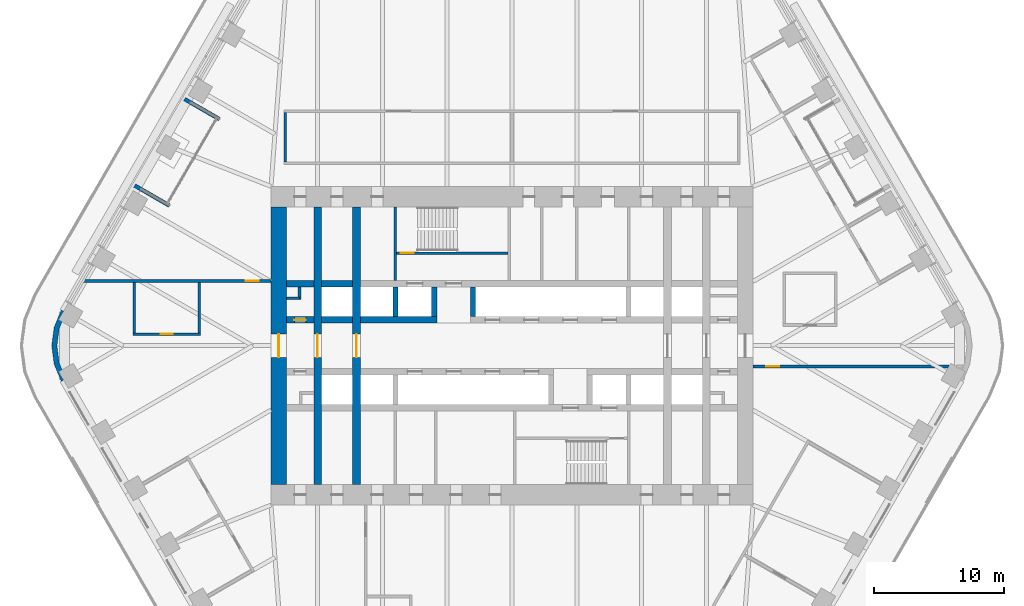
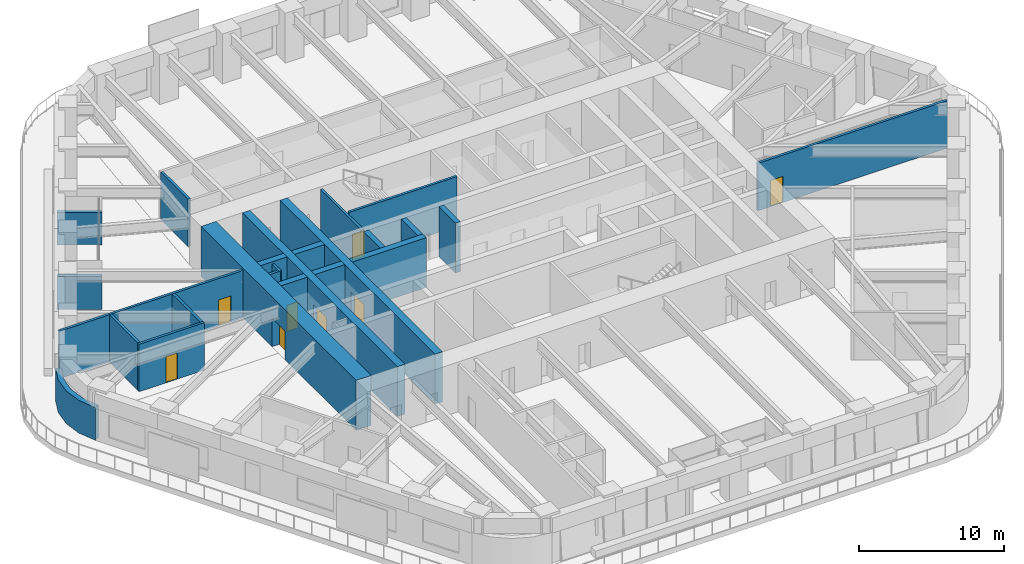
# One storey, part 19 of 24: 24 walls, 8 doors, 8 openings.
"""IFC4 building model written with IfcOpenShell, lengths in metres."""

from ifc_helpers import new_model, si_unit, direction, frame, frame_2d, origin, place, context, subcontext, project, spatial, polyline, rectangle, outline, extrude, material, layer, layer_set, type_object, element, fill, save


model = new_model("IFC4")

# Units and contexts
model_context = context("Model", 3, precision=1e-05, world=origin(), true_north=direction((0.0, 1.0)))
body_context = subcontext(model_context, "Body", "Model", "MODEL_VIEW")
ifc_project = project(units=[si_unit("LENGTHUNIT", "METRE"), si_unit("AREAUNIT", "SQUARE_METRE"), si_unit("VOLUMEUNIT", "CUBIC_METRE"), si_unit("PLANEANGLEUNIT", "RADIAN"), si_unit("MASSUNIT", "GRAM", prefix="KILO")], contexts=[model_context])

# Site, building, storey
site_placement = place(None, origin())
site = spatial("IfcSite", under=ifc_project, at=site_placement, CompositionType="ELEMENT")
building_placement = place(site_placement, origin())
building = spatial("IfcBuilding", under=site, at=building_placement, Name="Tarfa Lantern Tower", CompositionType="ELEMENT")
storey_placement = place(building_placement, frame((0.0, 0.0, 186.699951171875)))
storey = spatial("IfcBuildingStorey", under=building, at=storey_placement, Name="L42", CompositionType="ELEMENT", Elevation=186.699951171875)

# Walls
ifc_material_1 = material(Name="Limestone cladding on blockwork", Category="masonry")
ifc_layer_1 = layer(ifc_material_1, 0.300048828125)
ifc_layer_set_1 = layer_set([ifc_layer_1], Name="EW1 STONE-CLAD WALL 300")
wall_type_1 = type_object("IfcWallType", Name="EW1 STONE-CLAD WALL 300", PredefinedType="SOLIDWALL", material=ifc_layer_set_1)
wall_1_placement = place(storey_placement, frame((-25.266357421875, 19.037353515625, 0.0), z_axis=(0.0, 0.0, 1.0), x_axis=(0.86600983753, -0.500026960575, 0.0)))
element("IfcWall", 1, at=wall_1_placement, inside=storey, type_object=wall_type_1, Name="Loggia return NW 1", PredefinedType="SOLIDWALL", context=body_context, shape_type="SweptSolid", body=[
    extrude(rectangle(XDim=3.099853515625, YDim=0.300048828125, at=frame_2d((1.5498046875, 0.0))), origin(), (0.0, 0.0, 1.0), 2.75),
])
wall_2_placement = place(storey_placement, frame((-29.1201171875, 12.362548828125, 0.0), z_axis=(0.0, 0.0, 1.0), x_axis=(0.86602952684, -0.49999285859, 0.0)))
element("IfcWall", 2, at=wall_2_placement, inside=storey, type_object=wall_type_1, Name="Loggia return NW 2", PredefinedType="SOLIDWALL", context=body_context, shape_type="SweptSolid", body=[
    extrude(rectangle(XDim=3.10009765625, YDim=0.300048828125, at=frame_2d((1.550048828125, 0.0))), origin(), (0.0, 0.0, 1.0), 2.75),
])
ifc_layer_2 = layer(ifc_material_1, 0.39990234375)
ifc_layer_set_2 = layer_set([ifc_layer_2], Name="EW2 CURVED STONE CORNER 400")
wall_type_2 = type_object("IfcWallType", Name="EW2 CURVED STONE CORNER 400", PredefinedType="SOLIDWALL", material=ifc_layer_set_2)
wall_3_placement = place(storey_placement, origin())
element("IfcWall", 3, at=wall_3_placement, inside=storey, type_object=wall_type_2, Name="Stone corner NW-SW", PredefinedType="SOLIDWALL", context=body_context, shape_type="SweptSolid", body=[
    extrude(outline(polyline([(-34.785400390625, 2.75), (-35.334716796875, 1.423583984375), (-35.522216796875, 0.0), (-35.334716796875, -1.423583984375), (-34.785400390625, -2.75), (-34.43896484375, -2.550048828125), (-34.948486328125, -1.320068359375), (-35.122314453125, 0.0), (-34.948486328125, 1.320068359375), (-34.43896484375, 2.550048828125), (-34.785400390625, 2.75)])), origin(), (0.0, 0.0, 1.0), 2.75),
])
ifc_material_2 = material(Name="Concrete blockwork", Category="masonry")
ifc_layer_3 = layer(ifc_material_2, 0.199951171875)
ifc_layer_set_3 = layer_set([ifc_layer_3], Name="IW1 BLOCKWORK PARTITION 200 EI 120")
wall_type_3 = type_object("IfcWallType", Name="IW1 BLOCKWORK PARTITION 200 EI 120", PredefinedType="PARTITIONING", material=ifc_layer_set_3)
wall_4_placement = place(storey_placement, frame((-9.0, 5.050048828125, 0.0), z_axis=(0.0, 0.0, 1.0), x_axis=(0.0, 1.0, 0.0)))
element("IfcWall", 4, at=wall_4_placement, inside=storey, type_object=wall_type_3, Name="Core partition", PredefinedType="PARTITIONING", context=body_context, shape_type="SweptSolid", body=[
    extrude(rectangle(XDim=5.64990234375, YDim=0.199951171875, at=frame_2d((2.824951171875, 0.0))), origin(), (0.0, 0.0, 1.0), 4.0),
])
for number, where, z_axis, x_axis, name in (
    (5, (-17.39990234375, 3.64990234375, 0.0), (0.0, 0.0, 1.0), (1.0, 0.0, 0.0), "Core partition"),
    (6, (-16.39990234375, 3.550048828125, 0.0), (0.0, 0.0, 1.0), (0.0, 1.0, 0.0), "Core partition"),
):
    element("IfcWall", number, at=place(storey_placement, frame(where, z_axis=z_axis, x_axis=x_axis)), inside=storey, type_object=wall_type_3, Name=name, PredefinedType="PARTITIONING", context=body_context, shape_type="SweptSolid", body=[
        extrude(rectangle(XDim=1.0, YDim=0.199951171875, at=frame_2d((0.5, 0.0))), origin(), (0.0, 0.0, 1.0), 4.0),
    ])
ifc_material_3 = material(Name="Gypsum board on steel studs", Category="steel")
ifc_layer_4 = layer(ifc_material_3, 0.2099609375)
ifc_layer_set_4 = layer_set([ifc_layer_4], Name="IW2 ACOUSTIC PARTITION 200")
wall_type_4 = type_object("IfcWallType", Name="IW2 ACOUSTIC PARTITION 200", PredefinedType="PARTITIONING", material=ifc_layer_set_4)
wall_5_placement = place(storey_placement, frame((-17.5, 14.199951171875, 0.0), z_axis=(0.0, 0.0, 1.0), x_axis=(0.0, 1.0, 0.0)))
element("IfcWall", 7, at=wall_5_placement, inside=storey, type_object=wall_type_4, Name="Partition", PredefinedType="PARTITIONING", context=body_context, shape_type="SweptSolid", body=[
    extrude(rectangle(XDim=3.800048828125, YDim=0.199951171875, at=frame_2d((1.89990234375, 0.0))), origin(), (0.0, 0.0, 1.0), 4.0),
])

# Wall, opening, door
wall_6_placement = place(storey_placement, frame((18.60009765625, -1.60009765625, 0.0), z_axis=(0.0, 0.0, 1.0), x_axis=(1.0, 0.0, 0.0)))
wall_6 = element("IfcWall", 8, at=wall_6_placement, inside=storey, type_object=wall_type_4, Name="Partition", PredefinedType="PARTITIONING", context=body_context, shape_type="SweptSolid", body=[
    extrude(rectangle(XDim=15.1171875, YDim=0.199951171875, at=frame_2d((7.55859375, 0.0))), origin(), (0.0, 0.0, 1.0), 4.0),
])
opening_1_placement = place(wall_6_placement, frame((1.01171875, 0.0, 0.0)))
opening_1 = element("IfcOpeningElement", 9, at=opening_1_placement, cuts=wall_6, Name="Opening D47", PredefinedType="OPENING", context=body_context, shape_type="SweptSolid", body=[
    extrude(rectangle(XDim=1.0, YDim=2.199951171875, at=frame_2d((0.5, 1.10009765625))), frame((0.0, 0.10986328125, 0.0), z_axis=(0.0, -1.0, 0.0), x_axis=(1.0, 0.0, 0.0)), (0.0, 0.0, 1.0), 0.219970703125),
])
ifc_material_4 = material(Name="Timber door", Category="wood")
door_type_1 = type_object("IfcDoorType", Name="DR1 ROOM DOOR 1000x2200", OperationType="SINGLE_SWING_LEFT", PredefinedType="DOOR", material=ifc_material_4)
door_1_placement = place(opening_1_placement, frame((1.0, 0.0, 0.0), z_axis=(0.0, 0.0, 1.0), x_axis=(-1.0, 0.0, 0.0)))
door_1 = element("IfcDoor", 10, at=door_1_placement, inside=storey, type_object=door_type_1, Name="Zone door", OperationType="SINGLE_SWING_LEFT", OverallHeight=2.199951171875, OverallWidth=1.0, PredefinedType="DOOR", context=body_context, shape_type="SweptSolid", body=[
    extrude(rectangle(XDim=1.0, YDim=2.199951171875, at=frame_2d((0.5, 1.10009765625))), frame((0.0, 0.02490234375, 0.0), z_axis=(0.0, -1.0, 0.0), x_axis=(1.0, 0.0, 0.0)), (0.0, 0.0, 1.0), 0.050048828125),
])
fill(opening_1, door_1)

wall_7_placement = place(storey_placement, frame((-18.60009765625, 5.0, 0.0), z_axis=(0.0, 0.0, 1.0), x_axis=(-1.0, 0.0, 0.0)))
wall_7 = element("IfcWall", 11, at=wall_7_placement, inside=storey, type_object=wall_type_4, Name="Partition", PredefinedType="PARTITIONING", context=body_context, shape_type="SweptSolid", body=[
    extrude(rectangle(XDim=14.632080078125, YDim=0.199951171875, at=frame_2d((7.31591796875, 0.0))), origin(), (0.0, 0.0, 1.0), 4.0),
])
opening_2_placement = place(wall_7_placement, frame((0.963134765625, 0.0, 0.0)))
opening_2 = element("IfcOpeningElement", 12, at=opening_2_placement, cuts=wall_7, Name="Opening D49", PredefinedType="OPENING", context=body_context, shape_type="SweptSolid", body=[
    extrude(rectangle(XDim=1.0, YDim=2.199951171875, at=frame_2d((0.5, 1.10009765625))), frame((0.0, 0.10986328125, 0.0), z_axis=(0.0, -1.0, 0.0), x_axis=(1.0, 0.0, 0.0)), (0.0, 0.0, 1.0), 0.219970703125),
])
door_2_placement = place(opening_2_placement, origin())
door_2 = element("IfcDoor", 13, at=door_2_placement, inside=storey, type_object=door_type_1, Name="Zone door", OperationType="SINGLE_SWING_RIGHT", OverallHeight=2.199951171875, OverallWidth=1.0, PredefinedType="DOOR", context=body_context, shape_type="SweptSolid", body=[
    extrude(rectangle(XDim=1.0, YDim=2.199951171875, at=frame_2d((0.5, 1.10009765625))), frame((0.0, 0.02490234375, 0.0), z_axis=(0.0, -1.0, 0.0), x_axis=(1.0, 0.0, 0.0)), (0.0, 0.0, 1.0), 0.050048828125),
])
fill(opening_2, door_2)

wall_8_placement = place(storey_placement, frame((-24.047607421875, 0.89990234375, 0.0), z_axis=(0.0, 0.0, 1.0), x_axis=(-1.0, 0.0, 0.0)))
wall_8 = element("IfcWall", 14, at=wall_8_placement, inside=storey, type_object=wall_type_4, Name="Partition", PredefinedType="PARTITIONING", context=body_context, shape_type="SweptSolid", body=[
    extrude(rectangle(XDim=5.2001953125, YDim=0.199951171875, at=frame_2d((2.60009765625, 0.0))), origin(), (0.0, 0.0, 1.0), 4.0),
])
opening_3_placement = place(wall_8_placement, frame((2.14990234375, 0.0, 0.0)))
opening_3 = element("IfcOpeningElement", 15, at=opening_3_placement, cuts=wall_8, Name="Opening D46", PredefinedType="OPENING", context=body_context, shape_type="SweptSolid", body=[
    extrude(rectangle(XDim=0.89990234375, YDim=2.199951171875, at=frame_2d((0.449951171875, 1.10009765625))), frame((0.0, 0.10986328125, 0.0), z_axis=(0.0, -1.0, 0.0), x_axis=(1.0, 0.0, 0.0)), (0.0, 0.0, 1.0), 0.219970703125),
])
door_type_2 = type_object("IfcDoorType", Name="DR3 ROOM DOOR 900x2200", OperationType="SINGLE_SWING_LEFT", PredefinedType="DOOR", material=ifc_material_4)
door_3_placement = place(opening_3_placement, frame((0.89990234375, 0.0, 0.0), z_axis=(0.0, 0.0, 1.0), x_axis=(-1.0, 0.0, 0.0)))
door_3 = element("IfcDoor", 16, at=door_3_placement, inside=storey, type_object=door_type_2, Name="Team room door", OperationType="SINGLE_SWING_RIGHT", OverallHeight=2.199951171875, OverallWidth=0.89990234375, PredefinedType="DOOR", context=body_context, shape_type="SweptSolid", body=[
    extrude(rectangle(XDim=0.89990234375, YDim=2.199951171875, at=frame_2d((0.449951171875, 1.10009765625))), frame((0.0, 0.02490234375, 0.0), z_axis=(0.0, -1.0, 0.0), x_axis=(1.0, 0.0, 0.0)), (0.0, 0.0, 1.0), 0.050048828125),
])
fill(opening_3, door_3)

# Walls
for number, where, z_axis, x_axis, name in (
    (17, (-24.147705078125, 4.89990234375, 0.0), (0.0, 0.0, 1.0), (0.0, -1.0, 0.0), "Partition"),
    (18, (-29.147705078125, 4.89990234375, 0.0), (0.0, 0.0, 1.0), (0.0, -1.0, 0.0), "Partition"),
):
    element("IfcWall", number, at=place(storey_placement, frame(where, z_axis=z_axis, x_axis=x_axis)), inside=storey, type_object=wall_type_4, Name=name, PredefinedType="PARTITIONING", context=body_context, shape_type="SweptSolid", body=[
        extrude(rectangle(XDim=3.89990234375, YDim=0.199951171875, at=frame_2d((1.949951171875, 0.0))), origin(), (0.0, 0.0, 1.0), 4.0),
    ])

# Wall, opening, door
ifc_material_5 = material(Name="Concrete C80/95", Category="concrete")
ifc_layer_5 = layer(ifc_material_5, 1.199951171875)
ifc_layer_set_5 = layer_set([ifc_layer_5], Name="SW1 CORE WALL 1200")
wall_type_5 = type_object("IfcWallType", Name="SW1 CORE WALL 1200", PredefinedType="SHEAR", material=ifc_layer_set_5)
wall_9_placement = place(storey_placement, frame((-18.0, 10.699951171875, 0.0), z_axis=(0.0, 0.0, 1.0), x_axis=(0.0, -1.0, 0.0)))
wall_9 = element("IfcWall", 19, at=wall_9_placement, inside=storey, type_object=wall_type_5, Name="Core wall W", PredefinedType="SHEAR", context=body_context, shape_type="SweptSolid", body=[
    extrude(rectangle(XDim=21.39990234375, YDim=1.199951171875, at=frame_2d((10.699951171875, 0.0))), origin(), (0.0, 0.0, 1.0), 4.199951171875),
])
opening_4_placement = place(wall_9_placement, frame((9.800048828125, 0.0, 0.0)))
opening_4 = element("IfcOpeningElement", 20, at=opening_4_placement, cuts=wall_9, Name="Opening D16", PredefinedType="OPENING", context=body_context, shape_type="SweptSolid", body=[
    extrude(rectangle(XDim=1.800048828125, YDim=2.39990234375, at=frame_2d((0.89990234375, 1.199951171875))), frame((0.0, 0.60986328125, 0.0), z_axis=(0.0, -1.0, 0.0), x_axis=(1.0, 0.0, 0.0)), (0.0, 0.0, 1.0), 1.219970703125),
])
ifc_material_6 = material(Name="Steel fire door", Category="steel")
door_type_3 = type_object("IfcDoorType", Name="DL1 LOBBY DOOR 1800x2400", OperationType="DOUBLE_DOOR_SINGLE_SWING", PredefinedType="DOOR", material=ifc_material_6)
door_4_placement = place(opening_4_placement, frame((1.800048828125, 0.0, 0.0), z_axis=(0.0, 0.0, 1.0), x_axis=(-1.0, 0.0, 0.0)))
door_4 = element("IfcDoor", 21, at=door_4_placement, inside=storey, type_object=door_type_3, Name="Lift lobby door", OperationType="DOUBLE_DOOR_SINGLE_SWING", OverallHeight=2.39990234375, OverallWidth=1.800048828125, PredefinedType="DOOR", context=body_context, shape_type="SweptSolid", body=[
    extrude(rectangle(XDim=1.800048828125, YDim=2.39990234375, at=frame_2d((0.89990234375, 1.199951171875))), frame((0.0, 0.02490234375, 0.0), z_axis=(0.0, -1.0, 0.0), x_axis=(1.0, 0.0, 0.0)), (0.0, 0.0, 1.0), 0.050048828125),
])
fill(opening_4, door_4)

ifc_layer_6 = layer(ifc_material_5, 0.199951171875)
ifc_layer_set_6 = layer_set([ifc_layer_6], Name="SW12 CORE WALL 200")
wall_type_6 = type_object("IfcWallType", Name="SW12 CORE WALL 200", PredefinedType="SHEAR", material=ifc_layer_set_6)
wall_10_placement = place(storey_placement, frame((-8.89990234375, 7.14990234375, 0.0), z_axis=(0.0, 0.0, 1.0), x_axis=(1.0, 0.0, 0.0)))
wall_10 = element("IfcWall", 22, at=wall_10_placement, inside=storey, type_object=wall_type_6, Name="Core wall stair partition N", PredefinedType="SHEAR", context=body_context, shape_type="SweptSolid", body=[
    extrude(rectangle(XDim=8.599853515625, YDim=0.199951171875, at=frame_2d((4.2998046875, 0.0))), origin(), (0.0, 0.0, 1.0), 4.199951171875),
])
opening_5_placement = place(wall_10_placement, frame((0.300048828125, 0.0, 0.0)))
opening_5 = element("IfcOpeningElement", 23, at=opening_5_placement, cuts=wall_10, Name="Opening D27", PredefinedType="OPENING", context=body_context, shape_type="SweptSolid", body=[
    extrude(rectangle(XDim=1.0, YDim=2.199951171875, at=frame_2d((0.5, 1.10009765625))), frame((0.0, 0.10986328125, 0.0), z_axis=(0.0, -1.0, 0.0), x_axis=(1.0, 0.0, 0.0)), (0.0, 0.0, 1.0), 0.219970703125),
])
door_type_4 = type_object("IfcDoorType", Name="DF2 STAIR DOOR 1000x2200", OperationType="SINGLE_SWING_LEFT", PredefinedType="DOOR", material=ifc_material_6)
door_5_placement = place(opening_5_placement, origin())
door_5 = element("IfcDoor", 24, at=door_5_placement, inside=storey, type_object=door_type_4, Name="Stair door", OperationType="SINGLE_SWING_RIGHT", OverallHeight=2.199951171875, OverallWidth=1.0, PredefinedType="DOOR", context=body_context, shape_type="SweptSolid", body=[
    extrude(rectangle(XDim=1.0, YDim=2.199951171875, at=frame_2d((0.5, 1.10009765625))), frame((0.0, 0.02490234375, 0.0), z_axis=(0.0, -1.0, 0.0), x_axis=(1.0, 0.0, 0.0)), (0.0, 0.0, 1.0), 0.050048828125),
])
fill(opening_5, door_5)

ifc_layer_7 = layer(ifc_material_5, 0.5)
ifc_layer_set_7 = layer_set([ifc_layer_7], Name="SW5 CORE WALL 500")
wall_type_7 = type_object("IfcWallType", Name="SW5 CORE WALL 500", PredefinedType="SHEAR", material=ifc_layer_set_7)
wall_11_placement = place(storey_placement, frame((-17.39990234375, 2.0, 0.0), z_axis=(0.0, 0.0, 1.0), x_axis=(1.0, 0.0, 0.0)))
wall_11 = element("IfcWall", 25, at=wall_11_placement, inside=storey, type_object=wall_type_7, Name="Core wall lobby west N", PredefinedType="SHEAR", context=body_context, shape_type="SweptSolid", body=[
    extrude(rectangle(XDim=2.099853515625, YDim=0.5, at=frame_2d((1.0498046875, 0.0))), origin(), (0.0, 0.0, 1.0), 4.199951171875),
])
opening_6_placement = place(wall_11_placement, frame((0.60009765625, 0.0, 0.0)))
opening_6 = element("IfcOpeningElement", 26, at=opening_6_placement, cuts=wall_11, Name="Opening D19", PredefinedType="OPENING", context=body_context, shape_type="SweptSolid", body=[
    extrude(rectangle(XDim=0.89990234375, YDim=2.199951171875, at=frame_2d((0.449951171875, 1.10009765625))), frame((0.0, 0.260009765625, 0.0), z_axis=(0.0, -1.0, 0.0), x_axis=(1.0, 0.0, 0.0)), (0.0, 0.0, 1.0), 0.52001953125),
])
door_type_5 = type_object("IfcDoorType", Name="DF6 SERVICE ROOM DOOR 900x2200", OperationType="SINGLE_SWING_LEFT", PredefinedType="DOOR", material=ifc_material_6)
door_6_placement = place(opening_6_placement, origin())
door_6 = element("IfcDoor", 27, at=door_6_placement, inside=storey, type_object=door_type_5, Name="Service room door", OperationType="SINGLE_SWING_LEFT", OverallHeight=2.199951171875, OverallWidth=0.89990234375, PredefinedType="DOOR", context=body_context, shape_type="SweptSolid", body=[
    extrude(rectangle(XDim=0.89990234375, YDim=2.199951171875, at=frame_2d((0.449951171875, 1.10009765625))), frame((0.0, 0.02490234375, 0.0), z_axis=(0.0, -1.0, 0.0), x_axis=(1.0, 0.0, 0.0)), (0.0, 0.0, 1.0), 0.050048828125),
])
fill(opening_6, door_6)

# Walls
wall_12_placement = place(storey_placement, frame((-14.699951171875, 2.0, 0.0), z_axis=(0.0, 0.0, 1.0), x_axis=(1.0, 0.0, 0.0)))
element("IfcWall", 28, at=wall_12_placement, inside=storey, type_object=wall_type_7, Name="Core wall lobby west N", PredefinedType="SHEAR", context=body_context, shape_type="SweptSolid", body=[
    extrude(rectangle(XDim=2.39990234375, YDim=0.5, at=frame_2d((1.199951171875, 0.0))), origin(), (0.0, 0.0, 1.0), 4.199951171875),
])
wall_13_placement = place(storey_placement, frame((-11.699951171875, 2.0, 0.0), z_axis=(0.0, 0.0, 1.0), x_axis=(1.0, 0.0, 0.0)))
element("IfcWall", 29, at=wall_13_placement, inside=storey, type_object=wall_type_7, Name="Core wall lobby west N", PredefinedType="SHEAR", context=body_context, shape_type="SweptSolid", body=[
    extrude(rectangle(XDim=5.89990234375, YDim=0.5, at=frame_2d((2.949951171875, 0.0))), origin(), (0.0, 0.0, 1.0), 4.199951171875),
])
wall_14_placement = place(storey_placement, frame((-17.39990234375, 4.800048828125, 0.0), z_axis=(0.0, 0.0, 1.0), x_axis=(1.0, 0.0, 0.0)))
element("IfcWall", 30, at=wall_14_placement, inside=storey, type_object=wall_type_7, Name="Core wall rear N", PredefinedType="SHEAR", context=body_context, shape_type="SweptSolid", body=[
    extrude(rectangle(XDim=2.099853515625, YDim=0.5, at=frame_2d((1.0498046875, 0.0))), origin(), (0.0, 0.0, 1.0), 4.199951171875),
])
wall_15_placement = place(storey_placement, frame((-14.699951171875, 4.800048828125, 0.0), z_axis=(0.0, 0.0, 1.0), x_axis=(1.0, 0.0, 0.0)))
element("IfcWall", 31, at=wall_15_placement, inside=storey, type_object=wall_type_7, Name="Core wall rear N", PredefinedType="SHEAR", context=body_context, shape_type="SweptSolid", body=[
    extrude(rectangle(XDim=2.39990234375, YDim=0.5, at=frame_2d((1.199951171875, 0.0))), origin(), (0.0, 0.0, 1.0), 4.199951171875),
])
ifc_layer_8 = layer(ifc_material_5, 0.39990234375)
ifc_layer_set_8 = layer_set([ifc_layer_8], Name="SW6 CORE WALL 400")
wall_type_8 = type_object("IfcWallType", Name="SW6 CORE WALL 400", PredefinedType="SHEAR", material=ifc_layer_set_8)
for number, where, z_axis, x_axis, name in (
    (32, (-9.0, 2.25, 0.0), (0.0, 0.0, 1.0), (0.0, 1.0, 0.0), "Core wall divider N"),
    (33, (-6.0, 2.25, 0.0), (0.0, 0.0, 1.0), (0.0, 1.0, 0.0), "Core wall divider N"),
    (34, (-3.0, 2.25, 0.0), (0.0, 0.0, 1.0), (0.0, 1.0, 0.0), "Core wall divider N"),
):
    element("IfcWall", number, at=place(storey_placement, frame(where, z_axis=z_axis, x_axis=x_axis)), inside=storey, type_object=wall_type_8, Name=name, PredefinedType="SHEAR", context=body_context, shape_type="SweptSolid", body=[
        extrude(rectangle(XDim=2.300048828125, YDim=0.39990234375, at=frame_2d((1.14990234375, 0.0))), origin(), (0.0, 0.0, 1.0), 4.199951171875),
    ])

# Wall, opening, door
ifc_layer_9 = layer(ifc_material_5, 0.60009765625)
ifc_layer_set_9 = layer_set([ifc_layer_9], Name="SW9 CORE WALL 600")
wall_type_9 = type_object("IfcWallType", Name="SW9 CORE WALL 600", PredefinedType="SHEAR", material=ifc_layer_set_9)
wall_16_placement = place(storey_placement, frame((-12.0, -10.699951171875, 0.0), z_axis=(0.0, 0.0, 1.0), x_axis=(0.0, 1.0, 0.0)))
wall_16 = element("IfcWall", 35, at=wall_16_placement, inside=storey, type_object=wall_type_9, Name="Core wall cross 12 m west", PredefinedType="SHEAR", context=body_context, shape_type="SweptSolid", body=[
    extrude(rectangle(XDim=21.39990234375, YDim=0.60009765625, at=frame_2d((10.699951171875, 0.0))), origin(), (0.0, 0.0, 1.0), 4.199951171875),
])
opening_7_placement = place(wall_16_placement, frame((9.800048828125, 0.0, 0.0)))
opening_7 = element("IfcOpeningElement", 36, at=opening_7_placement, cuts=wall_16, Name="Opening D31", PredefinedType="OPENING", context=body_context, shape_type="SweptSolid", body=[
    extrude(rectangle(XDim=1.800048828125, YDim=2.39990234375, at=frame_2d((0.89990234375, 1.199951171875))), frame((0.0, 0.31005859375, 0.0), z_axis=(0.0, -1.0, 0.0), x_axis=(1.0, 0.0, 0.0)), (0.0, 0.0, 1.0), 0.6201171875),
])
door_7_placement = place(opening_7_placement, origin())
door_7 = element("IfcDoor", 37, at=door_7_placement, inside=storey, type_object=door_type_3, Name="Lift lobby door", OperationType="DOUBLE_DOOR_SINGLE_SWING", OverallHeight=2.39990234375, OverallWidth=1.800048828125, PredefinedType="DOOR", context=body_context, shape_type="SweptSolid", body=[
    extrude(rectangle(XDim=1.800048828125, YDim=2.39990234375, at=frame_2d((0.89990234375, 1.199951171875))), frame((0.0, 0.02490234375, 0.0), z_axis=(0.0, -1.0, 0.0), x_axis=(1.0, 0.0, 0.0)), (0.0, 0.0, 1.0), 0.050048828125),
])
fill(opening_7, door_7)

wall_17_placement = place(storey_placement, frame((-15.0, -10.699951171875, 0.0), z_axis=(0.0, 0.0, 1.0), x_axis=(0.0, 1.0, 0.0)))
wall_17 = element("IfcWall", 38, at=wall_17_placement, inside=storey, type_object=wall_type_9, Name="Core wall cross 15 m west", PredefinedType="SHEAR", context=body_context, shape_type="SweptSolid", body=[
    extrude(rectangle(XDim=21.39990234375, YDim=0.60009765625, at=frame_2d((10.699951171875, 0.0))), origin(), (0.0, 0.0, 1.0), 4.199951171875),
])
opening_8_placement = place(wall_17_placement, frame((9.800048828125, 0.0, 0.0)))
opening_8 = element("IfcOpeningElement", 39, at=opening_8_placement, cuts=wall_17, Name="Opening D32", PredefinedType="OPENING", context=body_context, shape_type="SweptSolid", body=[
    extrude(rectangle(XDim=1.800048828125, YDim=2.39990234375, at=frame_2d((0.89990234375, 1.199951171875))), frame((0.0, 0.31005859375, 0.0), z_axis=(0.0, -1.0, 0.0), x_axis=(1.0, 0.0, 0.0)), (0.0, 0.0, 1.0), 0.6201171875),
])
door_8_placement = place(opening_8_placement, origin())
door_8 = element("IfcDoor", 40, at=door_8_placement, inside=storey, type_object=door_type_3, Name="Lift lobby door", OperationType="DOUBLE_DOOR_SINGLE_SWING", OverallHeight=2.39990234375, OverallWidth=1.800048828125, PredefinedType="DOOR", context=body_context, shape_type="SweptSolid", body=[
    extrude(rectangle(XDim=1.800048828125, YDim=2.39990234375, at=frame_2d((0.89990234375, 1.199951171875))), frame((0.0, 0.02490234375, 0.0), z_axis=(0.0, -1.0, 0.0), x_axis=(1.0, 0.0, 0.0)), (0.0, 0.0, 1.0), 0.050048828125),
])
fill(opening_8, door_8)

save(model, "model.ifc")
